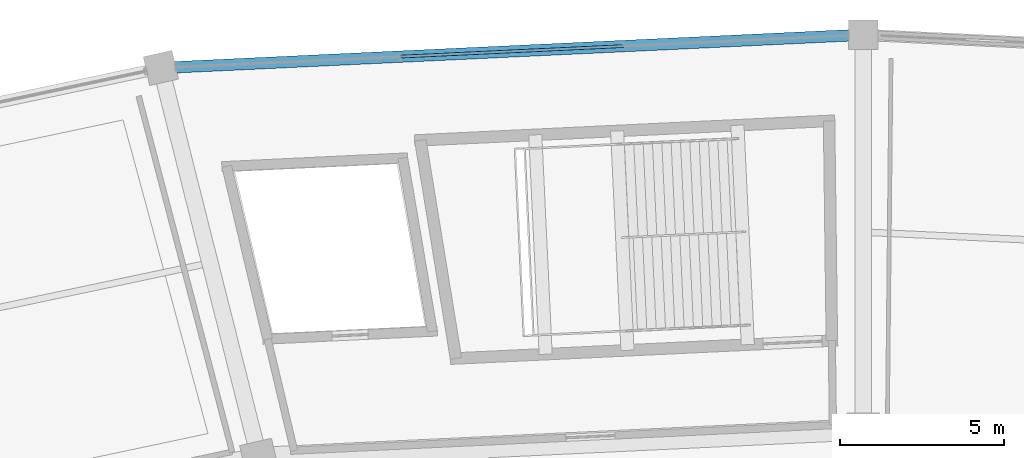
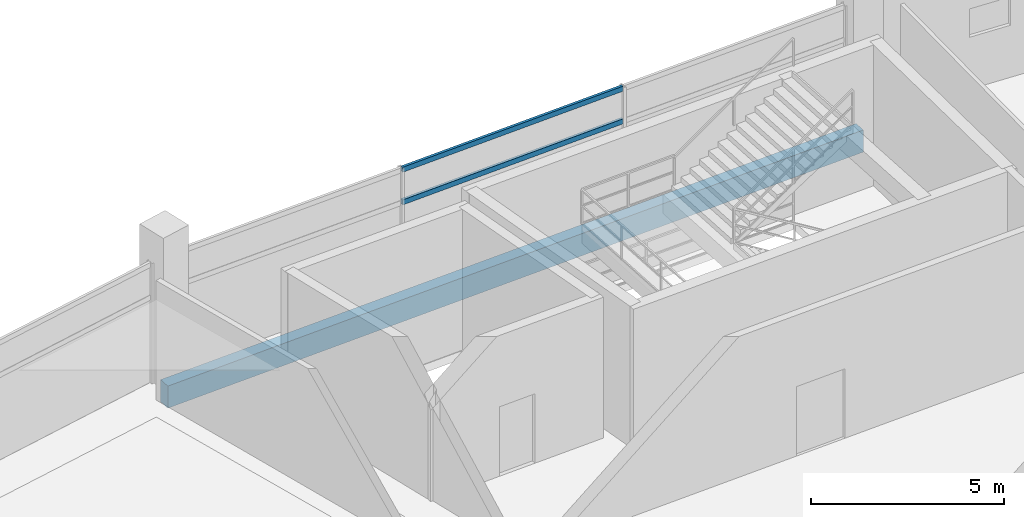
# One storey, part 104 of 171: 2 members, 1 beam, 1 element without a shape of its own.
"""IFC4 building model written with IfcOpenShell, lengths in metres."""

from ifc_helpers import new_model, si_unit, direction, frame, origin, origin_2d, place, context, subcontext, project, spatial, rectangle, hollow_rectangle, extrude, material, layer, layer_set, material_profile, profile_set, type_object, element, aggregate, save


model = new_model("IFC4")

# Units and contexts
model_context = context("Model", 3, precision=1e-05, world=origin(), true_north=direction((0.0, 1.0)))
body_context = subcontext(model_context, "Body", "Model", "MODEL_VIEW")
ifc_project = project(units=[si_unit("LENGTHUNIT", "METRE"), si_unit("AREAUNIT", "SQUARE_METRE"), si_unit("VOLUMEUNIT", "CUBIC_METRE"), si_unit("PLANEANGLEUNIT", "RADIAN"), si_unit("MASSUNIT", "GRAM", prefix="KILO")], contexts=[model_context])

# Site, building, storey
site_placement = place(None, origin())
site = spatial("IfcSite", under=ifc_project, at=site_placement, CompositionType="ELEMENT")
building_placement = place(site_placement, origin())
building = spatial("IfcBuilding", under=site, at=building_placement, Name="Kazemori Nagisa Stadium", CompositionType="ELEMENT")
storey_placement = place(building_placement, frame((0.0, 0.0, 15.639892578125)))
storey = spatial("IfcBuildingStorey", under=building, at=storey_placement, Name="L03", CompositionType="ELEMENT", Elevation=15.639892578125)

# Beam
ifc_material_1 = material(Name="Concrete C40/50 (Fc42)", Category="concrete")
ifc_material_profile_1 = material_profile(ifc_material_1, rectangle(XDim=0.35009765625, YDim=0.699951171875, at=origin_2d()), Name="RC-SP-350x700")
ifc_profile_set_1 = profile_set([ifc_material_profile_1], Name="Concrete C40/50 (Fc42)")
beam_type = type_object("IfcBeamType", Name="Beam_BS-RC350X700", PredefinedType="SPANDREL", material=ifc_profile_set_1)
beam_placement = place(storey_placement, frame((123.0, 188.0, -0.60986328125), z_axis=(-0.998883994571, -0.047230979144, 0.0), x_axis=(0.047230979144, -0.998883994571, 0.0)))
element("IfcBeam", 1, at=beam_placement, inside=storey, type_object=beam_type, Name="Ring girder BS-RC350X700 L03 R3-08", PredefinedType="SPANDREL", context=body_context, shape_type="SweptSolid", body=[
    extrude(rectangle(XDim=0.35009765625, YDim=0.699951171875, at=origin_2d()), origin(), (0.0, 0.0, 1.0), 21.45166015625),
])

# Curtain wall, members
ifc_material_2 = material(Name="Anodised aluminium 6063-T5", Category="aluminium")
ifc_layer = layer(ifc_material_2, 0.2099609375, Name="Anodised aluminium 6063-T5", Category="aluminium")
ifc_layer_set = layer_set([ifc_layer], Name="Anodised aluminium 6063-T5")
curtain_wall_type = type_object("IfcCurtainWallType", Name="CW_L03R3_103", PredefinedType="USERDEFINED", material=ifc_layer_set)
curtain_wall_placement = place(storey_placement, origin())
curtain_wall = element("IfcCurtainWall", 2, at=curtain_wall_placement, inside=storey, type_object=curtain_wall_type, Name="Unitised curtain wall CW-L03R3-103 L03", ObjectType="UNITISED CURTAIN WALL", PredefinedType="USERDEFINED")
ifc_material_3 = material(Name="Aluminium 6063-T5 anodised", Category="aluminium")
ifc_material_profile_2 = material_profile(ifc_material_3, hollow_rectangle(XDim=0.080078125, YDim=0.159912109375, WallThickness=0.00390625, at=origin_2d()), Name="ALU-TRAN-80x160x4")
ifc_profile_set_2 = profile_set([ifc_material_profile_2], Name="Aluminium 6063-T5 anodised")
member_type = type_object("IfcMemberType", Name="Transom_T02", PredefinedType="USERDEFINED", material=ifc_profile_set_2)
member_1_placement = place(storey_placement, frame((115.67919921875, 187.65380859375, 2.705322265625), z_axis=(-0.998884501545, -0.047220255973, 0.0), x_axis=(0.047220255973, -0.998884501545, 0.0)))
member_1 = element("IfcMember", 3, at=member_1_placement, type_object=member_type, Name="Curtain wall transom CW-L03R3-103-T2-mid", ObjectType="TRANSOM", PredefinedType="USERDEFINED", context=body_context, shape_type="SweptSolid", body=[
    extrude(hollow_rectangle(XDim=0.080078125, YDim=0.159912109375, WallThickness=0.00390625, at=origin_2d()), origin(), (0.0, 0.0, 1.0), 6.793701171875),
])
member_2_placement = place(storey_placement, frame((115.67919921875, 187.65380859375, 3.739990234375), z_axis=(-0.998884501545, -0.047220255973, 0.0), x_axis=(0.047220255973, -0.998884501545, 0.0)))
member_2 = element("IfcMember", 4, at=member_2_placement, type_object=member_type, Name="Curtain wall transom CW-L03R3-103-T2-head", ObjectType="TRANSOM", PredefinedType="USERDEFINED", context=body_context, shape_type="SweptSolid", body=[
    extrude(hollow_rectangle(XDim=0.080078125, YDim=0.159912109375, WallThickness=0.00390625, at=origin_2d()), origin(), (0.0, 0.0, 1.0), 6.793701171875),
])
aggregate(curtain_wall, [member_1, member_2])

save(model, "model.ifc")
